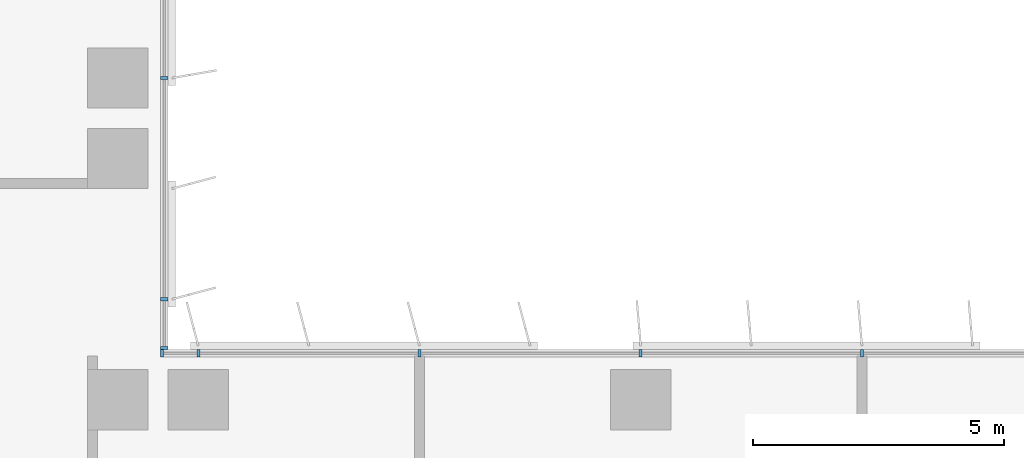
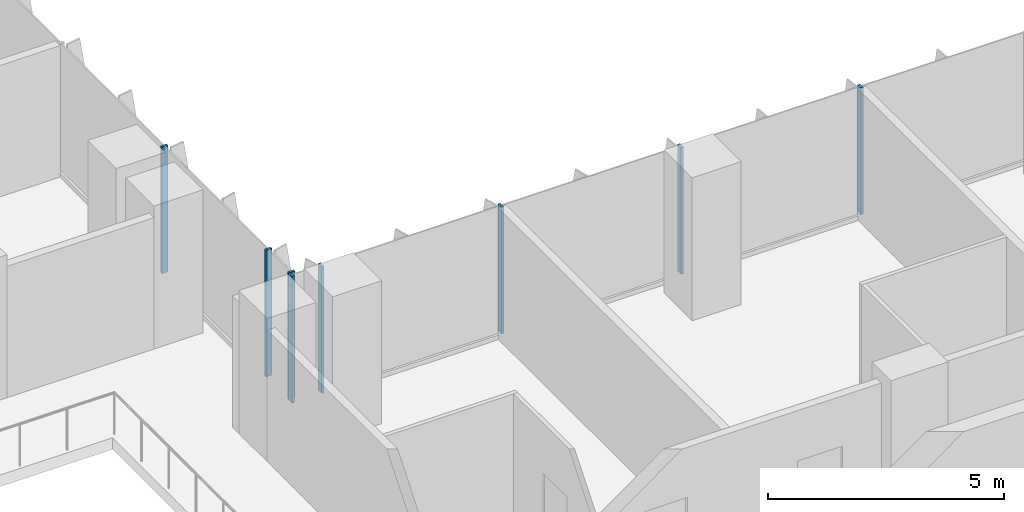
# One storey, part 2 of 22: 8 members, 2 elements without a shape of their own.
"""IFC4 building model written with IfcOpenShell, lengths in metres."""

from ifc_helpers import new_model, si_unit, direction, frame, origin, origin_2d, place, context, subcontext, project, spatial, rectangle, extrude, source, transform, mapped, material, material_profile, profile_set, type_object, element, aggregate, save


model = new_model("IFC4")

# Units and contexts
model_context = context("Model", 3, precision=1e-05, world=origin(), true_north=direction((0.0, 1.0)))
body_context = subcontext(model_context, "Body", "Model", "MODEL_VIEW")
ifc_project = project(units=[si_unit("LENGTHUNIT", "METRE"), si_unit("AREAUNIT", "SQUARE_METRE"), si_unit("VOLUMEUNIT", "CUBIC_METRE"), si_unit("PLANEANGLEUNIT", "RADIAN"), si_unit("MASSUNIT", "GRAM", prefix="KILO")], contexts=[model_context])

# Site, building, storey
site_placement = place(None, origin())
site = spatial("IfcSite", under=ifc_project, at=site_placement, CompositionType="ELEMENT")
building_placement = place(site_placement, origin())
building = spatial("IfcBuilding", under=site, at=building_placement, Name="Kemantara Hotel Tower", CompositionType="ELEMENT")
storey_placement = place(building_placement, frame((0.0, 0.0, 125.89990234375)))
storey = spatial("IfcBuildingStorey", under=building, at=storey_placement, Name="L30", CompositionType="ELEMENT", Elevation=125.89990234375)

# Curtain wall, members
ifc_material_1 = material(Name="Low-E tinted double insulated glass 36 mm", Category="glass")
curtain_wall_type = type_object("IfcCurtainWallType", Name="TOWER CURTAIN WALL, FRONT FACES", PredefinedType="USERDEFINED", material=ifc_material_1)
curtain_wall_1_placement = place(storey_placement, origin())
curtain_wall_1 = element("IfcCurtainWall", 1, at=curtain_wall_1_placement, inside=storey, type_object=curtain_wall_type, Name="CW4 L30 T2-R13-1", ObjectType="TOWER CURTAIN WALL, FRONT FACES", PredefinedType="USERDEFINED")
ifc_material_2 = material(Name="Aluminium 6063-T6 bronze anodised", Category="aluminium")
ifc_material_profile = material_profile(ifc_material_2, rectangle(XDim=0.14990234375, YDim=0.06005859375, at=origin_2d()), Name="TOWER CURTAIN WALL, FRONT FACES MULLION")
ifc_profile_set = profile_set([ifc_material_profile], Name="Aluminium 6063-T6 bronze anodised")
member_type = type_object("IfcMemberType", Name="TOWER CURTAIN WALL, FRONT FACES MULLION", PredefinedType="MULLION", material=ifc_profile_set)
shared_shape = source(origin(), body_context, "Body", "SweptSolid", [
    extrude(rectangle(XDim=0.14990234375, YDim=0.06005859375, at=origin_2d()), origin(), (0.0, 0.0, 1.0), 3.280029296875),
])
member_1_placement = place(storey_placement, frame((40.60009765625, 21.925048828125, 0.1201171875), z_axis=(0.0, 0.0, 1.0), x_axis=(0.0, -1.0, 0.0)))
member_1 = element("IfcMember", 2, at=member_1_placement, type_object=member_type, Name="CW4 mullion T2-R13-1.6", PredefinedType="MULLION", context=body_context, shape_type="MappedRepresentation", body=[
    mapped(shared_shape, transform((0.0, 0.0, 0.0))),
])
member_2_placement = place(storey_placement, frame((36.199951171875, 21.925048828125, 0.1201171875), z_axis=(0.0, 0.0, 1.0), x_axis=(0.0, -1.0, 0.0)))
member_2 = element("IfcMember", 3, at=member_2_placement, type_object=member_type, Name="CW4 mullion T2-R13-1.7", PredefinedType="MULLION", context=body_context, shape_type="MappedRepresentation", body=[
    mapped(shared_shape, transform((0.0, 0.0, 0.0))),
])
member_3_placement = place(storey_placement, frame((31.800048828125, 21.925048828125, 0.1201171875), z_axis=(0.0, 0.0, 1.0), x_axis=(0.0, -1.0, 0.0)))
member_3 = element("IfcMember", 4, at=member_3_placement, type_object=member_type, Name="CW4 mullion T2-R13-1.8", PredefinedType="MULLION", context=body_context, shape_type="MappedRepresentation", body=[
    mapped(shared_shape, transform((0.0, 0.0, 0.0))),
])
member_4_placement = place(storey_placement, frame((27.39990234375, 21.925048828125, 0.1201171875), z_axis=(0.0, 0.0, 1.0), x_axis=(0.0, -1.0, 0.0)))
member_4 = element("IfcMember", 5, at=member_4_placement, type_object=member_type, Name="CW4 mullion T2-R13-1.9", PredefinedType="MULLION", context=body_context, shape_type="MappedRepresentation", body=[
    mapped(shared_shape, transform((0.0, 0.0, 0.0))),
])
member_5_placement = place(storey_placement, frame((26.679931640625, 21.925048828125, 0.1201171875), z_axis=(0.0, 0.0, 1.0), x_axis=(0.0, -1.0, 0.0)))
member_5 = element("IfcMember", 6, at=member_5_placement, type_object=member_type, Name="CW4 mullion T2-R13-1.10", PredefinedType="MULLION", context=body_context, shape_type="MappedRepresentation", body=[
    mapped(shared_shape, transform((0.0, 0.0, 0.0))),
])
aggregate(curtain_wall_1, [member_1, member_2, member_3, member_4, member_5])

curtain_wall_2_placement = place(storey_placement, origin())
curtain_wall_2 = element("IfcCurtainWall", 7, at=curtain_wall_2_placement, inside=storey, type_object=curtain_wall_type, Name="CW4 L30 T2-R14-1", ObjectType="TOWER CURTAIN WALL, FRONT FACES", PredefinedType="USERDEFINED")
member_6_placement = place(storey_placement, frame((26.72509765625, 22.030029296875, 0.1201171875), z_axis=(0.0, 0.0, 1.0), x_axis=(-1.0, 0.0, 0.0)))
member_6 = element("IfcMember", 8, at=member_6_placement, type_object=member_type, Name="CW4 mullion T2-R14-1.1", PredefinedType="MULLION", context=body_context, shape_type="MappedRepresentation", body=[
    mapped(shared_shape, transform((0.0, 0.0, 0.0))),
])
member_7_placement = place(storey_placement, frame((26.72509765625, 23.0, 0.1201171875), z_axis=(0.0, 0.0, 1.0), x_axis=(-1.0, 0.0, 0.0)))
member_7 = element("IfcMember", 9, at=member_7_placement, type_object=member_type, Name="CW4 mullion T2-R14-1.2", PredefinedType="MULLION", context=body_context, shape_type="MappedRepresentation", body=[
    mapped(shared_shape, transform((0.0, 0.0, 0.0))),
])
member_8_placement = place(storey_placement, frame((26.72509765625, 27.39990234375, 0.1201171875), z_axis=(0.0, 0.0, 1.0), x_axis=(-1.0, 0.0, 0.0)))
member_8 = element("IfcMember", 10, at=member_8_placement, type_object=member_type, Name="CW4 mullion T2-R14-1.3", PredefinedType="MULLION", context=body_context, shape_type="MappedRepresentation", body=[
    mapped(shared_shape, transform((0.0, 0.0, 0.0))),
])
aggregate(curtain_wall_2, [member_6, member_7, member_8])

save(model, "model.ifc")
